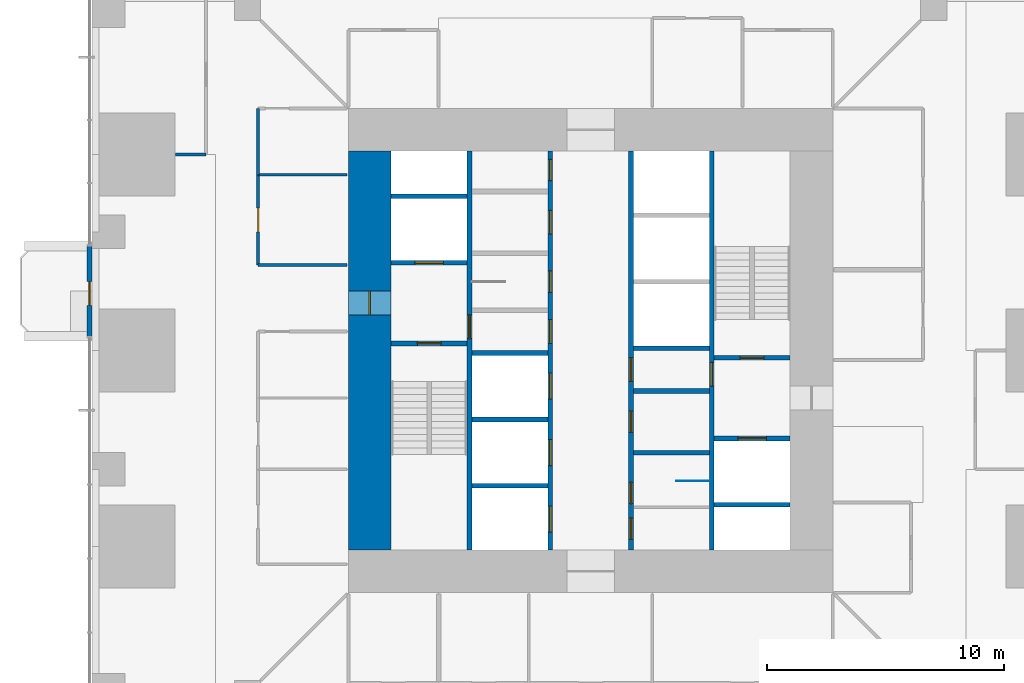
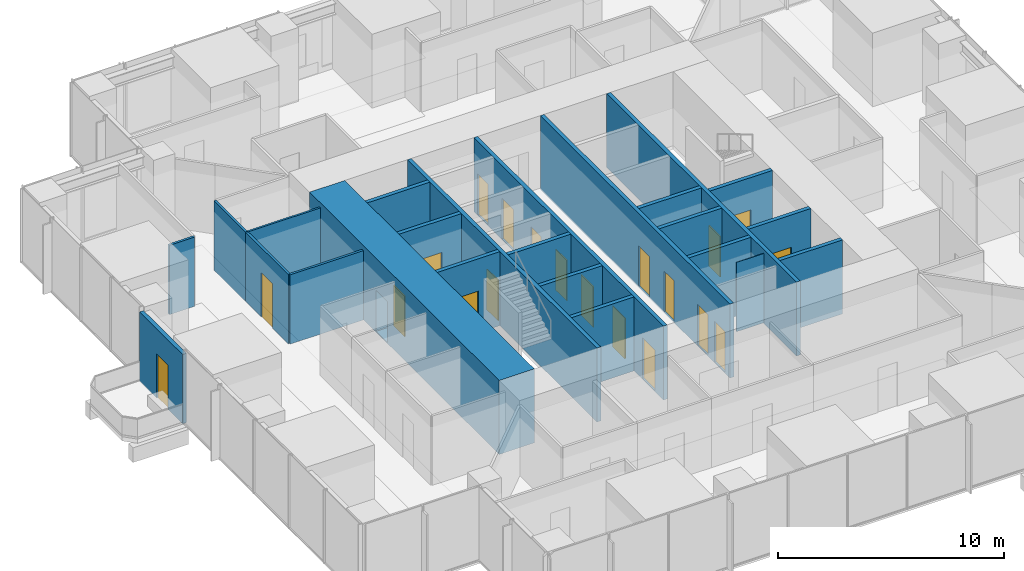
# One storey, part 10 of 15: 24 walls, 20 doors, 20 openings.
"""IFC4 building model written with IfcOpenShell, lengths in metres."""

from ifc_helpers import new_model, si_unit, direction, frame, frame_2d, origin, place, context, subcontext, project, spatial, rectangle, extrude, material, layer, layer_set, type_object, element, fill, save


model = new_model("IFC4")

# Units and contexts
model_context = context("Model", 3, precision=1e-05, world=origin(), true_north=direction((0.0, 1.0)))
body_context = subcontext(model_context, "Body", "Model", "MODEL_VIEW")
ifc_project = project(units=[si_unit("LENGTHUNIT", "METRE"), si_unit("AREAUNIT", "SQUARE_METRE"), si_unit("VOLUMEUNIT", "CUBIC_METRE"), si_unit("PLANEANGLEUNIT", "RADIAN"), si_unit("MASSUNIT", "GRAM", prefix="KILO")], contexts=[model_context])

# Site, building, storey
site_placement = place(None, origin())
site = spatial("IfcSite", under=ifc_project, at=site_placement, CompositionType="ELEMENT")
building_placement = place(site_placement, origin())
building = spatial("IfcBuilding", under=site, at=building_placement, Name="Svetlomir Tower", CompositionType="ELEMENT")
storey_placement = place(building_placement, frame((0.0, 0.0, 74.5)))
storey = spatial("IfcBuildingStorey", under=building, at=storey_placement, Name="L17", CompositionType="ELEMENT", Elevation=74.5)

# Wall, opening, door
ifc_material_1 = material(Name="Bronze anodised aluminium glazed screen", Category="aluminium")
ifc_layer_1 = layer(ifc_material_1, 0.199951171875)
ifc_layer_set_1 = layer_set([ifc_layer_1], Name="Bronze anodised aluminium glazed screen")
wall_type_1 = type_object("IfcWallType", Name="BALCONY SCREEN WALL 200", PredefinedType="USERDEFINED", material=ifc_layer_set_1)
wall_1_placement = place(storey_placement, frame((-0.10009765625, 25.39990234375, 0.0), z_axis=(0.0, 0.0, 1.0), x_axis=(0.0, -1.0, 0.0)))
wall_1 = element("IfcWall", 1, at=wall_1_placement, inside=storey, type_object=wall_type_1, Name="Balcony screen W", ObjectType="GLAZED SCREEN", PredefinedType="USERDEFINED", context=body_context, shape_type="SweptSolid", body=[
    extrude(rectangle(XDim=3.7998046875, YDim=0.199951171875, at=frame_2d((1.89990234375, 0.0))), origin(), (0.0, 0.0, 1.0), 3.75),
])
opening_1_placement = place(wall_1_placement, frame((1.5, 0.0, 0.0)))
opening_1 = element("IfcOpeningElement", 2, at=opening_1_placement, cuts=wall_1, Name="Opening BD", PredefinedType="OPENING", context=body_context, shape_type="SweptSolid", body=[
    extrude(rectangle(XDim=1.0, YDim=2.39990234375, at=frame_2d((0.5, 1.199951171875))), frame((0.0, 0.10986328125, 0.0), z_axis=(0.0, -1.0, 0.0), x_axis=(1.0, 0.0, 0.0)), (0.0, 0.0, 1.0), 0.219970703125),
])
ifc_material_2 = material(Name="Bronze anodised aluminium glazed door", Category="aluminium")
door_type_1 = type_object("IfcDoorType", Name="BALCONY DOOR BD 1000x2400", OperationType="SINGLE_SWING_LEFT", PredefinedType="DOOR", material=ifc_material_2)
door_1_placement = place(opening_1_placement, origin())
door_1 = element("IfcDoor", 3, at=door_1_placement, inside=storey, type_object=door_type_1, Name="Balcony screen W door", OperationType="SINGLE_SWING_LEFT", OverallHeight=2.39990234375, OverallWidth=1.0, PredefinedType="DOOR", context=body_context, shape_type="SweptSolid", body=[
    extrude(rectangle(XDim=1.0, YDim=2.39990234375, at=frame_2d((0.5, 1.199951171875))), frame((0.0, 0.02490234375, 0.0), z_axis=(0.0, -1.0, 0.0), x_axis=(1.0, 0.0, 0.0)), (0.0, 0.0, 1.0), 0.050048828125),
])
fill(opening_1, door_1)

ifc_material_3 = material(Name="Concrete C60/75", Category="concrete")
ifc_layer_2 = layer(ifc_material_3, 0.199951171875)
ifc_layer_set_2 = layer_set([ifc_layer_2], Name="Concrete C60/75")
wall_type_2 = type_object("IfcWallType", Name="CORE INNER WALL 200", PredefinedType="SHEAR", material=ifc_layer_set_2)
wall_2_placement = place(storey_placement, frame((15.89990234375, 12.60009765625, -0.050048828125), z_axis=(0.0, 0.0, 1.0), x_axis=(0.0, 1.0, 0.0)))
wall_2 = element("IfcWall", 4, at=wall_2_placement, inside=storey, type_object=wall_type_2, Name="Core inner wall 15.9 L17", PredefinedType="SHEAR", context=body_context, shape_type="SweptSolid", body=[
    extrude(rectangle(XDim=16.7998046875, YDim=0.199951171875, at=frame_2d((8.39990234375, 0.0))), origin(), (0.0, 0.0, 1.0), 4.0),
])
opening_2_placement = place(wall_2_placement, frame((8.89990234375, 0.0, 0.050048828125)))
opening_2 = element("IfcOpeningElement", 5, at=opening_2_placement, cuts=wall_2, Name="Opening DF", PredefinedType="OPENING", context=body_context, shape_type="SweptSolid", body=[
    extrude(rectangle(XDim=1.0, YDim=2.199951171875, at=frame_2d((0.5, 1.10009765625))), frame((0.0, 0.10986328125, 0.0), z_axis=(0.0, -1.0, 0.0), x_axis=(1.0, 0.0, 0.0)), (0.0, 0.0, 1.0), 0.219970703125),
])
ifc_material_4 = material(Name="Steel fire door", Category="steel")
door_type_2 = type_object("IfcDoorType", Name="DOOR DF 1000x2200", OperationType="SINGLE_SWING_LEFT", PredefinedType="DOOR", material=ifc_material_4)
door_2_placement = place(opening_2_placement, origin())
door_2 = element("IfcDoor", 6, at=door_2_placement, inside=storey, type_object=door_type_2, Name="Core corridor west door L17", OperationType="SINGLE_SWING_LEFT", OverallHeight=2.199951171875, OverallWidth=1.0, PredefinedType="DOOR", context=body_context, shape_type="SweptSolid", body=[
    extrude(rectangle(XDim=1.0, YDim=2.199951171875, at=frame_2d((0.5, 1.10009765625))), frame((0.0, 0.02490234375, 0.0), z_axis=(0.0, -1.0, 0.0), x_axis=(1.0, 0.0, 0.0)), (0.0, 0.0, 1.0), 0.050048828125),
])
fill(opening_2, door_2)

# Wall, openings, doors
wall_3_placement = place(storey_placement, frame((19.300048828125, 12.60009765625, -0.050048828125), z_axis=(0.0, 0.0, 1.0), x_axis=(0.0, 1.0, 0.0)))
wall_3 = element("IfcWall", 7, at=wall_3_placement, inside=storey, type_object=wall_type_2, Name="Core inner wall 19.3 L17", PredefinedType="SHEAR", context=body_context, shape_type="SweptSolid", body=[
    extrude(rectangle(XDim=16.7998046875, YDim=0.199951171875, at=frame_2d((8.39990234375, 0.0))), origin(), (0.0, 0.0, 1.0), 4.0),
])
opening_3_placement = place(wall_3_placement, frame((8.699951171875, 0.0, 0.050048828125)))
opening_3 = element("IfcOpeningElement", 8, at=opening_3_placement, cuts=wall_3, Name="Opening DC", PredefinedType="OPENING", context=body_context, shape_type="SweptSolid", body=[
    extrude(rectangle(XDim=1.0, YDim=2.199951171875, at=frame_2d((0.5, 1.10009765625))), frame((0.0, 0.10986328125, 0.0), z_axis=(0.0, -1.0, 0.0), x_axis=(1.0, 0.0, 0.0)), (0.0, 0.0, 1.0), 0.219970703125),
])
opening_4_placement = place(wall_3_placement, frame((10.85009765625, 0.0, 0.050048828125)))
opening_4 = element("IfcOpeningElement", 9, at=opening_4_placement, cuts=wall_3, Name="Opening DW", PredefinedType="OPENING", context=body_context, shape_type="SweptSolid", body=[
    extrude(rectangle(XDim=0.89990234375, YDim=2.199951171875, at=frame_2d((0.449951171875, 1.10009765625))), frame((0.0, 0.10986328125, 0.0), z_axis=(0.0, -1.0, 0.0), x_axis=(1.0, 0.0, 0.0)), (0.0, 0.0, 1.0), 0.219970703125),
])
opening_5_placement = place(wall_3_placement, frame((13.300048828125, 0.0, 0.050048828125)))
opening_5 = element("IfcOpeningElement", 10, at=opening_5_placement, cuts=wall_3, Name="Opening DC", PredefinedType="OPENING", context=body_context, shape_type="SweptSolid", body=[
    extrude(rectangle(XDim=1.0, YDim=2.199951171875, at=frame_2d((0.5, 1.10009765625))), frame((0.0, 0.10986328125, 0.0), z_axis=(0.0, -1.0, 0.0), x_axis=(1.0, 0.0, 0.0)), (0.0, 0.0, 1.0), 0.219970703125),
])
opening_6_placement = place(wall_3_placement, frame((15.550048828125, 0.0, 0.050048828125)))
opening_6 = element("IfcOpeningElement", 11, at=opening_6_placement, cuts=wall_3, Name="Opening DW", PredefinedType="OPENING", context=body_context, shape_type="SweptSolid", body=[
    extrude(rectangle(XDim=0.89990234375, YDim=2.199951171875, at=frame_2d((0.449951171875, 1.10009765625))), frame((0.0, 0.10986328125, 0.0), z_axis=(0.0, -1.0, 0.0), x_axis=(1.0, 0.0, 0.0)), (0.0, 0.0, 1.0), 0.219970703125),
])
opening_7_placement = place(wall_3_placement, frame((0.75, 0.0, 0.050048828125)))
opening_7 = element("IfcOpeningElement", 12, at=opening_7_placement, cuts=wall_3, Name="Opening LD", PredefinedType="OPENING", context=body_context, shape_type="SweptSolid", body=[
    extrude(rectangle(XDim=1.10009765625, YDim=2.199951171875, at=frame_2d((0.550048828125, 1.10009765625))), frame((0.0, 0.10986328125, 0.0), z_axis=(0.0, -1.0, 0.0), x_axis=(1.0, 0.0, 0.0)), (0.0, 0.0, 1.0), 0.219970703125),
])
opening_8_placement = place(wall_3_placement, frame((3.550048828125, 0.0, 0.050048828125)))
opening_8 = element("IfcOpeningElement", 13, at=opening_8_placement, cuts=wall_3, Name="Opening LD", PredefinedType="OPENING", context=body_context, shape_type="SweptSolid", body=[
    extrude(rectangle(XDim=1.10009765625, YDim=2.199951171875, at=frame_2d((0.550048828125, 1.10009765625))), frame((0.0, 0.10986328125, 0.0), z_axis=(0.0, -1.0, 0.0), x_axis=(1.0, 0.0, 0.0)), (0.0, 0.0, 1.0), 0.219970703125),
])
opening_9_placement = place(wall_3_placement, frame((6.35009765625, 0.0, 0.050048828125)))
opening_9 = element("IfcOpeningElement", 14, at=opening_9_placement, cuts=wall_3, Name="Opening LD", PredefinedType="OPENING", context=body_context, shape_type="SweptSolid", body=[
    extrude(rectangle(XDim=1.10009765625, YDim=2.199951171875, at=frame_2d((0.550048828125, 1.10009765625))), frame((0.0, 0.10986328125, 0.0), z_axis=(0.0, -1.0, 0.0), x_axis=(1.0, 0.0, 0.0)), (0.0, 0.0, 1.0), 0.219970703125),
])
ifc_material_5 = material(Name="Timber fire door", Category="wood")
door_type_3 = type_object("IfcDoorType", Name="DOOR DC 1000x2200", OperationType="SINGLE_SWING_LEFT", PredefinedType="DOOR", material=ifc_material_5)
door_3_placement = place(opening_3_placement, origin())
door_3 = element("IfcDoor", 15, at=door_3_placement, inside=storey, type_object=door_type_3, Name="Core corridor west lobby door L17", OperationType="SINGLE_SWING_RIGHT", OverallHeight=2.199951171875, OverallWidth=1.0, PredefinedType="DOOR", context=body_context, shape_type="SweptSolid", body=[
    extrude(rectangle(XDim=1.0, YDim=2.199951171875, at=frame_2d((0.5, 1.10009765625))), frame((0.0, 0.02490234375, 0.0), z_axis=(0.0, -1.0, 0.0), x_axis=(1.0, 0.0, 0.0)), (0.0, 0.0, 1.0), 0.050048828125),
])
fill(opening_3, door_3)
door_4_placement = place(opening_5_placement, origin())
door_4 = element("IfcDoor", 16, at=door_4_placement, inside=storey, type_object=door_type_3, Name="Accessible WC door L17", OperationType="SINGLE_SWING_LEFT", OverallHeight=2.199951171875, OverallWidth=1.0, PredefinedType="DOOR", context=body_context, shape_type="SweptSolid", body=[
    extrude(rectangle(XDim=1.0, YDim=2.199951171875, at=frame_2d((0.5, 1.10009765625))), frame((0.0, 0.02490234375, 0.0), z_axis=(0.0, -1.0, 0.0), x_axis=(1.0, 0.0, 0.0)), (0.0, 0.0, 1.0), 0.050048828125),
])
fill(opening_5, door_4)
ifc_material_6 = material(Name="Timber fire door", Category="wood")
door_type_4 = type_object("IfcDoorType", Name="DOOR DW 900x2200", OperationType="SINGLE_SWING_LEFT", PredefinedType="DOOR", material=ifc_material_6)
door_5_placement = place(opening_4_placement, origin())
door_5 = element("IfcDoor", 17, at=door_5_placement, inside=storey, type_object=door_type_4, Name="Female WC door L17", OperationType="SINGLE_SWING_RIGHT", OverallHeight=2.199951171875, OverallWidth=0.89990234375, PredefinedType="DOOR", context=body_context, shape_type="SweptSolid", body=[
    extrude(rectangle(XDim=0.89990234375, YDim=2.199951171875, at=frame_2d((0.449951171875, 1.10009765625))), frame((0.0, 0.02490234375, 0.0), z_axis=(0.0, -1.0, 0.0), x_axis=(1.0, 0.0, 0.0)), (0.0, 0.0, 1.0), 0.050048828125),
])
fill(opening_4, door_5)
door_6_placement = place(opening_6_placement, origin())
door_6 = element("IfcDoor", 18, at=door_6_placement, inside=storey, type_object=door_type_4, Name="Tea point door L17", OperationType="SINGLE_SWING_RIGHT", OverallHeight=2.199951171875, OverallWidth=0.89990234375, PredefinedType="DOOR", context=body_context, shape_type="SweptSolid", body=[
    extrude(rectangle(XDim=0.89990234375, YDim=2.199951171875, at=frame_2d((0.449951171875, 1.10009765625))), frame((0.0, 0.02490234375, 0.0), z_axis=(0.0, -1.0, 0.0), x_axis=(1.0, 0.0, 0.0)), (0.0, 0.0, 1.0), 0.050048828125),
])
fill(opening_6, door_6)
ifc_material_7 = material(Name="Stainless steel landing door", Category="steel")
door_type_5 = type_object("IfcDoorType", Name="LIFT LANDING DOOR LD 1100x2200", OperationType="DOUBLE_DOOR_SLIDING", PredefinedType="DOOR", material=ifc_material_7)
door_7_placement = place(opening_7_placement, origin())
door_7 = element("IfcDoor", 19, at=door_7_placement, inside=storey, type_object=door_type_5, Name="Landing door lift LA1 L17", OperationType="DOUBLE_DOOR_SLIDING", OverallHeight=2.199951171875, OverallWidth=1.10009765625, PredefinedType="DOOR", context=body_context, shape_type="SweptSolid", body=[
    extrude(rectangle(XDim=1.10009765625, YDim=2.199951171875, at=frame_2d((0.550048828125, 1.10009765625))), frame((0.0, 0.02490234375, 0.0), z_axis=(0.0, -1.0, 0.0), x_axis=(1.0, 0.0, 0.0)), (0.0, 0.0, 1.0), 0.050048828125),
])
fill(opening_7, door_7)
door_8_placement = place(opening_8_placement, origin())
door_8 = element("IfcDoor", 20, at=door_8_placement, inside=storey, type_object=door_type_5, Name="Landing door lift LA2 L17", OperationType="DOUBLE_DOOR_SLIDING", OverallHeight=2.199951171875, OverallWidth=1.10009765625, PredefinedType="DOOR", context=body_context, shape_type="SweptSolid", body=[
    extrude(rectangle(XDim=1.10009765625, YDim=2.199951171875, at=frame_2d((0.550048828125, 1.10009765625))), frame((0.0, 0.02490234375, 0.0), z_axis=(0.0, -1.0, 0.0), x_axis=(1.0, 0.0, 0.0)), (0.0, 0.0, 1.0), 0.050048828125),
])
fill(opening_8, door_8)
door_9_placement = place(opening_9_placement, origin())
door_9 = element("IfcDoor", 21, at=door_9_placement, inside=storey, type_object=door_type_5, Name="Landing door lift LA3 L17", OperationType="DOUBLE_DOOR_SLIDING", OverallHeight=2.199951171875, OverallWidth=1.10009765625, PredefinedType="DOOR", context=body_context, shape_type="SweptSolid", body=[
    extrude(rectangle(XDim=1.10009765625, YDim=2.199951171875, at=frame_2d((0.550048828125, 1.10009765625))), frame((0.0, 0.02490234375, 0.0), z_axis=(0.0, -1.0, 0.0), x_axis=(1.0, 0.0, 0.0)), (0.0, 0.0, 1.0), 0.050048828125),
])
fill(opening_9, door_9)

wall_4_placement = place(storey_placement, frame((22.699951171875, 12.60009765625, -0.050048828125), z_axis=(0.0, 0.0, 1.0), x_axis=(0.0, 1.0, 0.0)))
wall_4 = element("IfcWall", 22, at=wall_4_placement, inside=storey, type_object=wall_type_2, Name="Core inner wall 22.7 L17", PredefinedType="SHEAR", context=body_context, shape_type="SweptSolid", body=[
    extrude(rectangle(XDim=16.7998046875, YDim=0.199951171875, at=frame_2d((8.39990234375, 0.0))), origin(), (0.0, 0.0, 1.0), 4.0),
])
opening_10_placement = place(wall_4_placement, frame((0.449951171875, 0.0, 0.050048828125)))
opening_10 = element("IfcOpeningElement", 23, at=opening_10_placement, cuts=wall_4, Name="Opening DW", PredefinedType="OPENING", context=body_context, shape_type="SweptSolid", body=[
    extrude(rectangle(XDim=0.89990234375, YDim=2.199951171875, at=frame_2d((0.449951171875, 1.10009765625))), frame((0.0, 0.10986328125, 0.0), z_axis=(0.0, -1.0, 0.0), x_axis=(1.0, 0.0, 0.0)), (0.0, 0.0, 1.0), 0.219970703125),
])
opening_11_placement = place(wall_4_placement, frame((7.10009765625, 0.0, 0.050048828125)))
opening_11 = element("IfcOpeningElement", 24, at=opening_11_placement, cuts=wall_4, Name="Opening DC", PredefinedType="OPENING", context=body_context, shape_type="SweptSolid", body=[
    extrude(rectangle(XDim=1.0, YDim=2.199951171875, at=frame_2d((0.5, 1.10009765625))), frame((0.0, 0.10986328125, 0.0), z_axis=(0.0, -1.0, 0.0), x_axis=(1.0, 0.0, 0.0)), (0.0, 0.0, 1.0), 0.219970703125),
])
opening_12_placement = place(wall_4_placement, frame((1.949951171875, 0.0, 0.050048828125)))
opening_12 = element("IfcOpeningElement", 25, at=opening_12_placement, cuts=wall_4, Name="Opening DW", PredefinedType="OPENING", context=body_context, shape_type="SweptSolid", body=[
    extrude(rectangle(XDim=0.89990234375, YDim=2.199951171875, at=frame_2d((0.449951171875, 1.10009765625))), frame((0.0, 0.10986328125, 0.0), z_axis=(0.0, -1.0, 0.0), x_axis=(1.0, 0.0, 0.0)), (0.0, 0.0, 1.0), 0.219970703125),
])
opening_13_placement = place(wall_4_placement, frame((4.949951171875, 0.0, 0.050048828125)))
opening_13 = element("IfcOpeningElement", 26, at=opening_13_placement, cuts=wall_4, Name="Opening DW", PredefinedType="OPENING", context=body_context, shape_type="SweptSolid", body=[
    extrude(rectangle(XDim=0.89990234375, YDim=2.199951171875, at=frame_2d((0.449951171875, 1.10009765625))), frame((0.0, 0.10986328125, 0.0), z_axis=(0.0, -1.0, 0.0), x_axis=(1.0, 0.0, 0.0)), (0.0, 0.0, 1.0), 0.219970703125),
])
door_10_placement = place(opening_11_placement, origin())
door_10 = element("IfcDoor", 27, at=door_10_placement, inside=storey, type_object=door_type_3, Name="Core corridor east lobby door L17", OperationType="SINGLE_SWING_LEFT", OverallHeight=2.199951171875, OverallWidth=1.0, PredefinedType="DOOR", context=body_context, shape_type="SweptSolid", body=[
    extrude(rectangle(XDim=1.0, YDim=2.199951171875, at=frame_2d((0.5, 1.10009765625))), frame((0.0, 0.02490234375, 0.0), z_axis=(0.0, -1.0, 0.0), x_axis=(1.0, 0.0, 0.0)), (0.0, 0.0, 1.0), 0.050048828125),
])
fill(opening_11, door_10)
door_11_placement = place(opening_10_placement, origin())
door_11 = element("IfcDoor", 28, at=door_11_placement, inside=storey, type_object=door_type_4, Name="Floor store door L17", OperationType="SINGLE_SWING_LEFT", OverallHeight=2.199951171875, OverallWidth=0.89990234375, PredefinedType="DOOR", context=body_context, shape_type="SweptSolid", body=[
    extrude(rectangle(XDim=0.89990234375, YDim=2.199951171875, at=frame_2d((0.449951171875, 1.10009765625))), frame((0.0, 0.02490234375, 0.0), z_axis=(0.0, -1.0, 0.0), x_axis=(1.0, 0.0, 0.0)), (0.0, 0.0, 1.0), 0.050048828125),
])
fill(opening_10, door_11)
door_12_placement = place(opening_12_placement, origin())
door_12 = element("IfcDoor", 29, at=door_12_placement, inside=storey, type_object=door_type_4, Name="Male WC door L17", OperationType="SINGLE_SWING_LEFT", OverallHeight=2.199951171875, OverallWidth=0.89990234375, PredefinedType="DOOR", context=body_context, shape_type="SweptSolid", body=[
    extrude(rectangle(XDim=0.89990234375, YDim=2.199951171875, at=frame_2d((0.449951171875, 1.10009765625))), frame((0.0, 0.02490234375, 0.0), z_axis=(0.0, -1.0, 0.0), x_axis=(1.0, 0.0, 0.0)), (0.0, 0.0, 1.0), 0.050048828125),
])
fill(opening_12, door_12)
door_13_placement = place(opening_13_placement, origin())
door_13 = element("IfcDoor", 30, at=door_13_placement, inside=storey, type_object=door_type_4, Name="Comms room door L17", OperationType="SINGLE_SWING_RIGHT", OverallHeight=2.199951171875, OverallWidth=0.89990234375, PredefinedType="DOOR", context=body_context, shape_type="SweptSolid", body=[
    extrude(rectangle(XDim=0.89990234375, YDim=2.199951171875, at=frame_2d((0.449951171875, 1.10009765625))), frame((0.0, 0.02490234375, 0.0), z_axis=(0.0, -1.0, 0.0), x_axis=(1.0, 0.0, 0.0)), (0.0, 0.0, 1.0), 0.050048828125),
])
fill(opening_13, door_13)

# Wall, opening, door
wall_5_placement = place(storey_placement, frame((26.10009765625, 12.60009765625, -0.050048828125), z_axis=(0.0, 0.0, 1.0), x_axis=(0.0, 1.0, 0.0)))
wall_5 = element("IfcWall", 31, at=wall_5_placement, inside=storey, type_object=wall_type_2, Name="Core inner wall 26.1 L17", PredefinedType="SHEAR", context=body_context, shape_type="SweptSolid", body=[
    extrude(rectangle(XDim=16.7998046875, YDim=0.199951171875, at=frame_2d((8.39990234375, 0.0))), origin(), (0.0, 0.0, 1.0), 4.0),
])
opening_14_placement = place(wall_5_placement, frame((6.89990234375, 0.0, 0.050048828125)))
opening_14 = element("IfcOpeningElement", 32, at=opening_14_placement, cuts=wall_5, Name="Opening DF", PredefinedType="OPENING", context=body_context, shape_type="SweptSolid", body=[
    extrude(rectangle(XDim=1.0, YDim=2.199951171875, at=frame_2d((0.5, 1.10009765625))), frame((0.0, 0.10986328125, 0.0), z_axis=(0.0, -1.0, 0.0), x_axis=(1.0, 0.0, 0.0)), (0.0, 0.0, 1.0), 0.219970703125),
])
door_14_placement = place(opening_14_placement, origin())
door_14 = element("IfcDoor", 33, at=door_14_placement, inside=storey, type_object=door_type_2, Name="Core corridor east door L17", OperationType="SINGLE_SWING_LEFT", OverallHeight=2.199951171875, OverallWidth=1.0, PredefinedType="DOOR", context=body_context, shape_type="SweptSolid", body=[
    extrude(rectangle(XDim=1.0, YDim=2.199951171875, at=frame_2d((0.5, 1.10009765625))), frame((0.0, 0.02490234375, 0.0), z_axis=(0.0, -1.0, 0.0), x_axis=(1.0, 0.0, 0.0)), (0.0, 0.0, 1.0), 0.050048828125),
])
fill(opening_14, door_14)

wall_6_placement = place(storey_placement, frame((12.60009765625, 21.300048828125, -0.050048828125), z_axis=(0.0, 0.0, 1.0), x_axis=(1.0, 0.0, 0.0)))
wall_6 = element("IfcWall", 34, at=wall_6_placement, inside=storey, type_object=wall_type_2, Name="Core inner wall 12.6-15.8/21.3 L17", PredefinedType="SHEAR", context=body_context, shape_type="SweptSolid", body=[
    extrude(rectangle(XDim=3.199951171875, YDim=0.199951171875, at=frame_2d((1.60009765625, 0.0))), origin(), (0.0, 0.0, 1.0), 4.0),
])
opening_15_placement = place(wall_6_placement, frame((1.10009765625, 0.0, 0.050048828125)))
opening_15 = element("IfcOpeningElement", 35, at=opening_15_placement, cuts=wall_6, Name="Opening DF", PredefinedType="OPENING", context=body_context, shape_type="SweptSolid", body=[
    extrude(rectangle(XDim=1.0, YDim=2.199951171875, at=frame_2d((0.5, 1.10009765625))), frame((0.0, 0.10986328125, 0.0), z_axis=(0.0, -1.0, 0.0), x_axis=(1.0, 0.0, 0.0)), (0.0, 0.0, 1.0), 0.219970703125),
])
door_15_placement = place(opening_15_placement, origin())
door_15 = element("IfcDoor", 36, at=door_15_placement, inside=storey, type_object=door_type_2, Name="Stair S1 door L17", OperationType="SINGLE_SWING_RIGHT", OverallHeight=2.199951171875, OverallWidth=1.0, PredefinedType="DOOR", context=body_context, shape_type="SweptSolid", body=[
    extrude(rectangle(XDim=1.0, YDim=2.199951171875, at=frame_2d((0.5, 1.10009765625))), frame((0.0, 0.02490234375, 0.0), z_axis=(0.0, -1.0, 0.0), x_axis=(1.0, 0.0, 0.0)), (0.0, 0.0, 1.0), 0.050048828125),
])
fill(opening_15, door_15)

wall_7_placement = place(storey_placement, frame((12.60009765625, 24.699951171875, -0.050048828125), z_axis=(0.0, 0.0, 1.0), x_axis=(1.0, 0.0, 0.0)))
wall_7 = element("IfcWall", 37, at=wall_7_placement, inside=storey, type_object=wall_type_2, Name="Core inner wall 12.6-15.8/24.7 L17", PredefinedType="SHEAR", context=body_context, shape_type="SweptSolid", body=[
    extrude(rectangle(XDim=3.199951171875, YDim=0.199951171875, at=frame_2d((1.60009765625, 0.0))), origin(), (0.0, 0.0, 1.0), 4.0),
])
opening_16_placement = place(wall_7_placement, frame((1.0, 0.0, 0.050048828125)))
opening_16 = element("IfcOpeningElement", 38, at=opening_16_placement, cuts=wall_7, Name="Opening LD3", PredefinedType="OPENING", context=body_context, shape_type="SweptSolid", body=[
    extrude(rectangle(XDim=1.199951171875, YDim=2.199951171875, at=frame_2d((0.60009765625, 1.10009765625))), frame((0.0, 0.10986328125, 0.0), z_axis=(0.0, -1.0, 0.0), x_axis=(1.0, 0.0, 0.0)), (0.0, 0.0, 1.0), 0.219970703125),
])
ifc_material_8 = material(Name="Stainless steel fire-rated landing door", Category="steel")
door_type_6 = type_object("IfcDoorType", Name="FIREFIGHTING LIFT LANDING DOOR LD3 1200x2200", OperationType="DOUBLE_DOOR_SLIDING", PredefinedType="DOOR", material=ifc_material_8)
door_16_placement = place(opening_16_placement, origin())
door_16 = element("IfcDoor", 39, at=door_16_placement, inside=storey, type_object=door_type_6, Name="Landing door lift FL1 L17", OperationType="DOUBLE_DOOR_SLIDING", OverallHeight=2.199951171875, OverallWidth=1.199951171875, PredefinedType="DOOR", context=body_context, shape_type="SweptSolid", body=[
    extrude(rectangle(XDim=1.199951171875, YDim=2.199951171875, at=frame_2d((0.60009765625, 1.10009765625))), frame((0.0, 0.02490234375, 0.0), z_axis=(0.0, -1.0, 0.0), x_axis=(1.0, 0.0, 0.0)), (0.0, 0.0, 1.0), 0.050048828125),
])
fill(opening_16, door_16)

# Walls
for number, where, z_axis, x_axis, name in (
    (40, (12.60009765625, 27.5, -0.050048828125), (0.0, 0.0, 1.0), (1.0, 0.0, 0.0), "Core inner wall 12.6-15.8/27.5 L17"),
    (41, (16.0, 15.300048828125, -0.050048828125), (0.0, 0.0, 1.0), (1.0, 0.0, 0.0), "Core inner wall 16-19.2/15.3 L17"),
    (42, (16.0, 18.10009765625, -0.050048828125), (0.0, 0.0, 1.0), (1.0, 0.0, 0.0), "Core inner wall 16-19.2/18.1 L17"),
    (43, (16.0, 20.89990234375, -0.050048828125), (0.0, 0.0, 1.0), (1.0, 0.0, 0.0), "Core inner wall 16-19.2/20.9 L17"),
    (44, (22.800048828125, 16.699951171875, -0.050048828125), (0.0, 0.0, 1.0), (1.0, 0.0, 0.0), "Core inner wall 22.8-26/16.7 L17"),
    (45, (22.800048828125, 19.300048828125, -0.050048828125), (0.0, 0.0, 1.0), (1.0, 0.0, 0.0), "Core inner wall 22.8-26/19.3 L17"),
    (46, (22.800048828125, 21.10009765625, -0.050048828125), (0.0, 0.0, 1.0), (1.0, 0.0, 0.0), "Core inner wall 22.8-26/21.1 L17"),
    (47, (26.199951171875, 14.5, -0.050048828125), (0.0, 0.0, 1.0), (1.0, 0.0, 0.0), "Core inner wall 26.2-29.4/14.5 L17"),
):
    element("IfcWall", number, at=place(storey_placement, frame(where, z_axis=z_axis, x_axis=x_axis)), inside=storey, type_object=wall_type_2, Name=name, PredefinedType="SHEAR", context=body_context, shape_type="SweptSolid", body=[
        extrude(rectangle(XDim=3.199951171875, YDim=0.199951171875, at=frame_2d((1.60009765625, 0.0))), origin(), (0.0, 0.0, 1.0), 4.0),
    ])

# Wall, opening, door
wall_8_placement = place(storey_placement, frame((26.199951171875, 17.300048828125, -0.050048828125), z_axis=(0.0, 0.0, 1.0), x_axis=(1.0, 0.0, 0.0)))
wall_8 = element("IfcWall", 48, at=wall_8_placement, inside=storey, type_object=wall_type_2, Name="Core inner wall 26.2-29.4/17.3 L17", PredefinedType="SHEAR", context=body_context, shape_type="SweptSolid", body=[
    extrude(rectangle(XDim=3.199951171875, YDim=0.199951171875, at=frame_2d((1.60009765625, 0.0))), origin(), (0.0, 0.0, 1.0), 4.0),
])
opening_17_placement = place(wall_8_placement, frame((1.0, 0.0, 0.050048828125)))
opening_17 = element("IfcOpeningElement", 49, at=opening_17_placement, cuts=wall_8, Name="Opening LD3", PredefinedType="OPENING", context=body_context, shape_type="SweptSolid", body=[
    extrude(rectangle(XDim=1.199951171875, YDim=2.199951171875, at=frame_2d((0.60009765625, 1.10009765625))), frame((0.0, 0.10986328125, 0.0), z_axis=(0.0, -1.0, 0.0), x_axis=(1.0, 0.0, 0.0)), (0.0, 0.0, 1.0), 0.219970703125),
])
door_17_placement = place(opening_17_placement, origin())
door_17 = element("IfcDoor", 50, at=door_17_placement, inside=storey, type_object=door_type_6, Name="Landing door lift FL2 L17", OperationType="DOUBLE_DOOR_SLIDING", OverallHeight=2.199951171875, OverallWidth=1.199951171875, PredefinedType="DOOR", context=body_context, shape_type="SweptSolid", body=[
    extrude(rectangle(XDim=1.199951171875, YDim=2.199951171875, at=frame_2d((0.60009765625, 1.10009765625))), frame((0.0, 0.02490234375, 0.0), z_axis=(0.0, -1.0, 0.0), x_axis=(1.0, 0.0, 0.0)), (0.0, 0.0, 1.0), 0.050048828125),
])
fill(opening_17, door_17)

wall_9_placement = place(storey_placement, frame((26.199951171875, 20.699951171875, -0.050048828125), z_axis=(0.0, 0.0, 1.0), x_axis=(1.0, 0.0, 0.0)))
wall_9 = element("IfcWall", 51, at=wall_9_placement, inside=storey, type_object=wall_type_2, Name="Core inner wall 26.2-29.4/20.7 L17", PredefinedType="SHEAR", context=body_context, shape_type="SweptSolid", body=[
    extrude(rectangle(XDim=3.199951171875, YDim=0.199951171875, at=frame_2d((1.60009765625, 0.0))), origin(), (0.0, 0.0, 1.0), 4.0),
])
opening_18_placement = place(wall_9_placement, frame((1.10009765625, 0.0, 0.050048828125)))
opening_18 = element("IfcOpeningElement", 52, at=opening_18_placement, cuts=wall_9, Name="Opening DF", PredefinedType="OPENING", context=body_context, shape_type="SweptSolid", body=[
    extrude(rectangle(XDim=1.0, YDim=2.199951171875, at=frame_2d((0.5, 1.10009765625))), frame((0.0, 0.10986328125, 0.0), z_axis=(0.0, -1.0, 0.0), x_axis=(1.0, 0.0, 0.0)), (0.0, 0.0, 1.0), 0.219970703125),
])
door_18_placement = place(opening_18_placement, origin())
door_18 = element("IfcDoor", 53, at=door_18_placement, inside=storey, type_object=door_type_2, Name="Stair S2 door L17", OperationType="SINGLE_SWING_LEFT", OverallHeight=2.199951171875, OverallWidth=1.0, PredefinedType="DOOR", context=body_context, shape_type="SweptSolid", body=[
    extrude(rectangle(XDim=1.0, YDim=2.199951171875, at=frame_2d((0.5, 1.10009765625))), frame((0.0, 0.02490234375, 0.0), z_axis=(0.0, -1.0, 0.0), x_axis=(1.0, 0.0, 0.0)), (0.0, 0.0, 1.0), 0.050048828125),
])
fill(opening_18, door_18)

ifc_material_9 = material(Name="Concrete C60/75", Category="concrete")
ifc_layer_3 = layer(ifc_material_9, 1.800048828125)
ifc_layer_set_3 = layer_set([ifc_layer_3], Name="Concrete C60/75")
wall_type_3 = type_object("IfcWallType", Name="CORE WALL 1800", PredefinedType="SHEAR", material=ifc_layer_set_3)
wall_10_placement = place(storey_placement, frame((11.699951171875, 12.60009765625, -0.050048828125), z_axis=(0.0, 0.0, 1.0), x_axis=(0.0, 1.0, 0.0)))
wall_10 = element("IfcWall", 54, at=wall_10_placement, inside=storey, type_object=wall_type_3, Name="Core wall west L17", PredefinedType="SHEAR", context=body_context, shape_type="SweptSolid", body=[
    extrude(rectangle(XDim=16.7998046875, YDim=1.800048828125, at=frame_2d((8.39990234375, 0.0))), origin(), (0.0, 0.0, 1.0), 4.0),
])
opening_19_placement = place(wall_10_placement, frame((9.89990234375, 0.0, 0.050048828125)))
opening_19 = element("IfcOpeningElement", 55, at=opening_19_placement, cuts=wall_10, Name="Opening DF", PredefinedType="OPENING", context=body_context, shape_type="SweptSolid", body=[
    extrude(rectangle(XDim=1.0, YDim=2.199951171875, at=frame_2d((0.5, 1.10009765625))), frame((0.0, 0.91015625, 0.0), z_axis=(0.0, -1.0, 0.0), x_axis=(1.0, 0.0, 0.0)), (0.0, 0.0, 1.0), 1.820068359375),
])
door_19_placement = place(opening_19_placement, origin())
door_19 = element("IfcDoor", 56, at=door_19_placement, inside=storey, type_object=door_type_2, Name="Firefighting lobby west door L17", OperationType="SINGLE_SWING_RIGHT", OverallHeight=2.199951171875, OverallWidth=1.0, PredefinedType="DOOR", context=body_context, shape_type="SweptSolid", body=[
    extrude(rectangle(XDim=1.0, YDim=2.199951171875, at=frame_2d((0.5, 1.10009765625))), frame((0.0, 0.02490234375, 0.0), z_axis=(0.0, -1.0, 0.0), x_axis=(1.0, 0.0, 0.0)), (0.0, 0.0, 1.0), 0.050048828125),
])
fill(opening_19, door_19)

# Walls
ifc_material_10 = material(Name="Framed laminated glass partition", Category="glass")
ifc_layer_4 = layer(ifc_material_10, 0.10009765625)
ifc_layer_set_4 = layer_set([ifc_layer_4], Name="Framed laminated glass partition")
wall_type_4 = type_object("IfcWallType", Name="GLAZED PARTITION 100", PredefinedType="PARTITIONING", material=ifc_layer_set_4)
wall_11_placement = place(storey_placement, frame((7.0, 28.39990234375, 0.0), z_axis=(0.0, 0.0, 1.0), x_axis=(1.0, 0.0, 0.0)))
element("IfcWall", 57, at=wall_11_placement, inside=storey, type_object=wall_type_4, Name="Glazed partition L17", PredefinedType="PARTITIONING", context=body_context, shape_type="SweptSolid", body=[
    extrude(rectangle(XDim=3.75, YDim=0.10009765625, at=frame_2d((1.875, 0.0))), origin(), (0.0, 0.0, 1.0), 3.75),
])
ifc_material_11 = material(Name="Gypsum board on steel studs", Category="steel")
ifc_layer_5 = layer(ifc_material_11, 0.1201171875)
ifc_layer_set_5 = layer_set([ifc_layer_5], Name="Gypsum board on steel studs")
wall_type_5 = type_object("IfcWallType", Name="PARTITION 120", PredefinedType="PARTITIONING", material=ifc_layer_set_5)
wall_12_placement = place(storey_placement, frame((3.510009765625, 29.25, 0.0), z_axis=(0.0, 0.0, 1.0), x_axis=(1.0, 0.0, 0.0)))
element("IfcWall", 58, at=wall_12_placement, inside=storey, type_object=wall_type_5, Name="Partition L17", PredefinedType="PARTITIONING", context=body_context, shape_type="SweptSolid", body=[
    extrude(rectangle(XDim=1.2900390625, YDim=0.1201171875, at=frame_2d((0.64501953125, 0.0))), origin(), (0.0, 0.0, 1.0), 3.75),
])

# Wall, opening, door
wall_13_placement = place(storey_placement, frame((7.0, 24.60009765625, 0.0), z_axis=(0.0, 0.0, 1.0), x_axis=(0.0, 1.0, 0.0)))
wall_13 = element("IfcWall", 59, at=wall_13_placement, inside=storey, type_object=wall_type_5, Name="Partition L17", PredefinedType="PARTITIONING", context=body_context, shape_type="SweptSolid", body=[
    extrude(rectangle(XDim=3.7998046875, YDim=0.1201171875, at=frame_2d((1.89990234375, 0.0))), origin(), (0.0, 0.0, 1.0), 3.75),
])
opening_20_placement = place(wall_13_placement, frame((1.39990234375, 0.0, 0.0)))
opening_20 = element("IfcOpeningElement", 60, at=opening_20_placement, cuts=wall_13, Name="Opening DG", PredefinedType="OPENING", context=body_context, shape_type="SweptSolid", body=[
    extrude(rectangle(XDim=1.0, YDim=2.39990234375, at=frame_2d((0.5, 1.199951171875))), frame((0.0, 0.070068359375, 0.0), z_axis=(0.0, -1.0, 0.0), x_axis=(1.0, 0.0, 0.0)), (0.0, 0.0, 1.0), 0.14013671875),
])
ifc_material_12 = material(Name="Framed laminated glass door", Category="glass")
door_type_7 = type_object("IfcDoorType", Name="GLAZED DOOR DG 1000x2400", OperationType="SINGLE_SWING_LEFT", PredefinedType="DOOR", material=ifc_material_12)
door_20_placement = place(opening_20_placement, origin())
door_20 = element("IfcDoor", 61, at=door_20_placement, inside=storey, type_object=door_type_7, Name="Quiet room door L17", OperationType="SINGLE_SWING_LEFT", OverallHeight=2.39990234375, OverallWidth=1.0, PredefinedType="DOOR", context=body_context, shape_type="SweptSolid", body=[
    extrude(rectangle(XDim=1.0, YDim=2.39990234375, at=frame_2d((0.5, 1.199951171875))), frame((0.0, 0.02490234375, 0.0), z_axis=(0.0, -1.0, 0.0), x_axis=(1.0, 0.0, 0.0)), (0.0, 0.0, 1.0), 0.050048828125),
])
fill(opening_20, door_20)

# Walls
wall_14_placement = place(storey_placement, frame((7.0, 24.60009765625, 0.0), z_axis=(0.0, 0.0, 1.0), x_axis=(1.0, 0.0, 0.0)))
element("IfcWall", 62, at=wall_14_placement, inside=storey, type_object=wall_type_5, Name="Partition L17", PredefinedType="PARTITIONING", context=body_context, shape_type="SweptSolid", body=[
    extrude(rectangle(XDim=3.75, YDim=0.1201171875, at=frame_2d((1.875, 0.0))), origin(), (0.0, 0.0, 1.0), 3.75),
])
wall_15_placement = place(storey_placement, frame((7.0, 28.39990234375, 0.0), z_axis=(0.0, 0.0, 1.0), x_axis=(0.0, 1.0, 0.0)))
element("IfcWall", 63, at=wall_15_placement, inside=storey, type_object=wall_type_5, Name="Partition L17", PredefinedType="PARTITIONING", context=body_context, shape_type="SweptSolid", body=[
    extrude(rectangle(XDim=2.800048828125, YDim=0.1201171875, at=frame_2d((1.39990234375, 0.0))), origin(), (0.0, 0.0, 1.0), 3.75),
])
ifc_material_13 = material(Name="Compact laminate panel", Category="plastic")
ifc_layer_6 = layer(ifc_material_13, 0.030029296875)
ifc_layer_set_6 = layer_set([ifc_layer_6], Name="Compact laminate panel")
wall_type_6 = type_object("IfcWallType", Name="WC CUBICLE PARTITION 30", PredefinedType="PARTITIONING", material=ifc_layer_set_6)
wall_16_placement = place(storey_placement, frame((24.60009765625, 15.5, 0.0), z_axis=(0.0, 0.0, 1.0), x_axis=(1.0, 0.0, 0.0)))
element("IfcWall", 64, at=wall_16_placement, inside=storey, type_object=wall_type_6, Name="WC cubicle partition L17", PredefinedType="PARTITIONING", context=body_context, shape_type="SweptSolid", body=[
    extrude(rectangle(XDim=1.39990234375, YDim=0.030029296875, at=frame_2d((0.699951171875, 0.0))), origin(), (0.0, 0.0, 1.0), 3.75),
])

save(model, "model.ifc")
